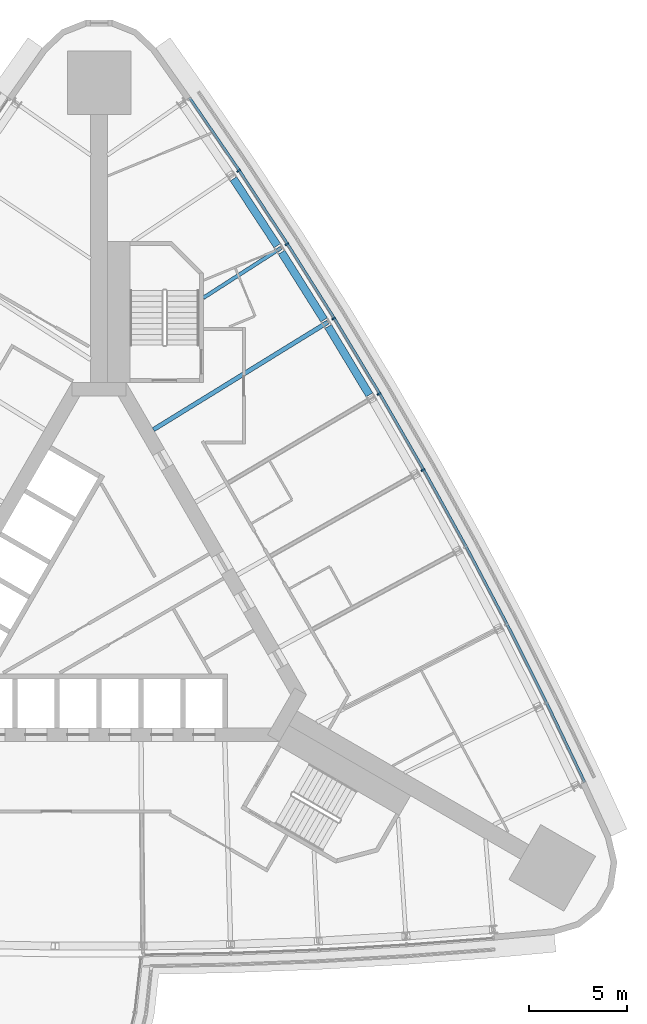
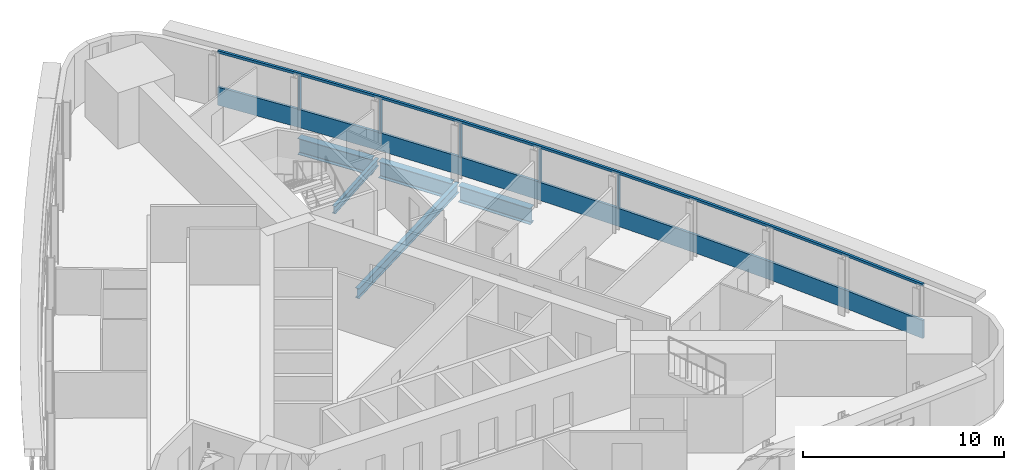
# One storey, part 7 of 15: 7 members, 5 beams, 1 element without a shape of its own.
"""IFC4 building model written with IfcOpenShell, lengths in metres."""

from ifc_helpers import new_model, si_unit, direction, frame, origin, origin_2d, place, context, subcontext, project, spatial, polyline, rectangle, i_section, outline, extrude, material, material_profile, profile_set, type_object, element, aggregate, save


model = new_model("IFC4")

# Units and contexts
model_context = context("Model", 3, precision=1e-05, world=origin(), true_north=direction((0.0, 1.0)))
body_context = subcontext(model_context, "Body", "Model", "MODEL_VIEW")
ifc_project = project(units=[si_unit("LENGTHUNIT", "METRE"), si_unit("AREAUNIT", "SQUARE_METRE"), si_unit("VOLUMEUNIT", "CUBIC_METRE"), si_unit("PLANEANGLEUNIT", "RADIAN"), si_unit("MASSUNIT", "GRAM", prefix="KILO")], contexts=[model_context])

# Site, building, storey
site_placement = place(None, origin())
site = spatial("IfcSite", under=ifc_project, at=site_placement, CompositionType="ELEMENT")
building_placement = place(site_placement, origin())
building = spatial("IfcBuilding", under=site, at=building_placement, Name="Noor Cloister Tower", CompositionType="ELEMENT")
storey_placement = place(building_placement, frame((0.0, 0.0, 58.199951171875)))
storey = spatial("IfcBuildingStorey", under=building, at=storey_placement, Name="L14", CompositionType="ELEMENT", Elevation=58.199951171875)

# Beams
ifc_material_1 = material(Name="Steel ASTM A992 Gr 50", Category="steel")
ifc_material_profile_1 = material_profile(ifc_material_1, i_section(OverallWidth=0.40087890625, OverallDepth=0.98291015625, WebThickness=0.0166015625, FlangeThickness=0.027099609375, FilletRadius=0.030029296875, at=origin_2d()), Name="W1000x296")
ifc_profile_set_1 = profile_set([ifc_material_profile_1], Name="Steel ASTM A992 Gr 50")
beam_type_1 = type_object("IfcBeamType", Name="Belt chord girder W1000x296", PredefinedType="BEAM", material=ifc_profile_set_1)
beam_1_placement = place(storey_placement, frame((13.837158203125, 10.81396484375, -0.69140625), z_axis=(-0.516471610202, 0.856304312646, 0.0), x_axis=(-0.856304312646, -0.516471610202, 0.0)))
element("IfcBeam", 1, at=beam_1_placement, inside=storey, type_object=beam_type_1, Name="Spandrel beam NE 06 L14", PredefinedType="BEAM", context=body_context, shape_type="SweptSolid", body=[
    extrude(i_section(OverallWidth=0.40087890625, OverallDepth=0.98291015625, WebThickness=0.0166015625, FlangeThickness=0.027099609375, FilletRadius=0.030029296875, at=origin_2d()), origin(), (0.0, 0.0, 1.0), 4.085693359375),
])
beam_2_placement = place(storey_placement, frame((11.51513671875, 14.656494140625, -0.69140625), z_axis=(-0.532719748658, 0.846291716484, 0.0), x_axis=(-0.846291716484, -0.532719748658, 0.0)))
element("IfcBeam", 2, at=beam_2_placement, inside=storey, type_object=beam_type_1, Name="Spandrel beam NE 07 L14", PredefinedType="BEAM", context=body_context, shape_type="SweptSolid", body=[
    extrude(i_section(OverallWidth=0.40087890625, OverallDepth=0.98291015625, WebThickness=0.0166015625, FlangeThickness=0.027099609375, FilletRadius=0.030029296875, at=origin_2d()), origin(), (0.0, 0.0, 1.0), 4.085205078125),
])
beam_3_placement = place(storey_placement, frame((9.120361328125, 18.45361328125, -0.69140625), z_axis=(-0.548742585616, 0.835991372402, 0.0), x_axis=(-0.835991372402, -0.548742585616, 0.0)))
element("IfcBeam", 3, at=beam_3_placement, inside=storey, type_object=beam_type_1, Name="Spandrel beam NE 08 L14", PredefinedType="BEAM", context=body_context, shape_type="SweptSolid", body=[
    extrude(i_section(OverallWidth=0.40087890625, OverallDepth=0.98291015625, WebThickness=0.0166015625, FlangeThickness=0.027099609375, FilletRadius=0.030029296875, at=origin_2d()), origin(), (0.0, 0.0, 1.0), 4.085693359375),
])

# Curtain wall, members
ifc_material_2 = material(Name="Aluminium 6063-T6 anodised", Category="aluminium")
curtain_wall_type = type_object("IfcCurtainWallType", Name="Ribbon curtain wall, lower tower CW1", PredefinedType="NOTDEFINED", material=ifc_material_2)
curtain_wall_placement = place(storey_placement, origin())
curtain_wall = element("IfcCurtainWall", 4, at=curtain_wall_placement, inside=storey, type_object=curtain_wall_type, Name="CW1 L14 NE run 4", PredefinedType="NOTDEFINED")
ifc_material_3 = material(Name="Aluminium 6063-T6 anodised", Category="aluminium")
member_type_1 = type_object("IfcMemberType", Name="Head transom CW1 150", PredefinedType="USERDEFINED", material=ifc_material_3)
member_1_placement = place(storey_placement, frame((0.0, 0.0, 3.150146484375)))
member_1 = element("IfcMember", 5, at=member_1_placement, type_object=member_type_1, Name="CW1 head transom", ObjectType="TRANSOM", PredefinedType="USERDEFINED", context=body_context, shape_type="SweptSolid", body=[
    extrude(outline(polyline([(24.908935546875, -8.972900390625), (22.962890625, -4.91552734375), (20.939697265625, -0.89599609375), (18.840087890625, 3.084228515625), (16.6650390625, 7.0234375), (14.4150390625, 10.920654296875), (12.091064453125, 14.77392578125), (9.69384765625, 18.582275390625), (7.224609375, 22.343994140625), (4.683837890625, 26.05810546875), (4.568115234375, 25.97900390625), (7.108154296875, 22.26611328125), (9.576171875, 18.506591796875), (11.971923828125, 14.700439453125), (14.29443359375, 10.849365234375), (16.543212890625, 6.95458984375), (18.717041015625, 3.017822265625), (20.815185546875, -0.9599609375), (22.837158203125, -4.97705078125), (24.78271484375, -9.033447265625), (24.908935546875, -8.972900390625)])), origin(), (0.0, 0.0, 1.0), 0.14990234375),
])
ifc_material_4 = material(Name="Aluminium 6063-T6 anodised", Category="aluminium")
ifc_material_profile_2 = material_profile(ifc_material_4, rectangle(XDim=0.199951171875, YDim=0.080078125, at=origin_2d()), Name="200 x 80 mullion")
ifc_profile_set_2 = profile_set([ifc_material_profile_2], Name="Aluminium 6063-T6 anodised")
member_type_2 = type_object("IfcMemberType", Name="Mullion CW1 80 x 200", PredefinedType="MULLION", material=ifc_profile_set_2)
member_2_placement = place(storey_placement, frame((16.577880859375, 6.974365234375, 1.10009765625), z_axis=(0.0, 0.0, 1.0), x_axis=(-0.870759932602, -0.491708388961, 0.0)))
member_2 = element("IfcMember", 6, at=member_2_placement, type_object=member_type_2, Name="CW1 mullion 5", PredefinedType="MULLION", context=body_context, shape_type="SweptSolid", body=[
    extrude(rectangle(XDim=0.199951171875, YDim=0.080078125, at=origin_2d()), origin(), (0.0, 0.0, 1.0), 2.050048828125),
])
member_3_placement = place(storey_placement, frame((14.328857421875, 10.86962890625, 1.10009765625), z_axis=(0.0, 0.0, 1.0), x_axis=(-0.861211922396, -0.50824602775, 0.0)))
member_3 = element("IfcMember", 7, at=member_3_placement, type_object=member_type_2, Name="CW1 mullion 6", PredefinedType="MULLION", context=body_context, shape_type="SweptSolid", body=[
    extrude(rectangle(XDim=0.199951171875, YDim=0.080078125, at=origin_2d()), origin(), (0.0, 0.0, 1.0), 2.050048828125),
])
member_4_placement = place(storey_placement, frame((12.005859375, 14.721435546875, 1.10009765625), z_axis=(0.0, 0.0, 1.0), x_axis=(-0.851349873532, -0.524598315702, 0.0)))
member_4 = element("IfcMember", 8, at=member_4_placement, type_object=member_type_2, Name="CW1 mullion 7", PredefinedType="MULLION", context=body_context, shape_type="SweptSolid", body=[
    extrude(rectangle(XDim=0.199951171875, YDim=0.080078125, at=origin_2d()), origin(), (0.0, 0.0, 1.0), 2.050048828125),
])
member_5_placement = place(storey_placement, frame((9.60986328125, 18.528076171875, 1.10009765625), z_axis=(0.0, 0.0, 1.0), x_axis=(-0.841177373697, -0.540759305034, 0.0)))
member_5 = element("IfcMember", 9, at=member_5_placement, type_object=member_type_2, Name="CW1 mullion 8", PredefinedType="MULLION", context=body_context, shape_type="SweptSolid", body=[
    extrude(rectangle(XDim=0.199951171875, YDim=0.080078125, at=origin_2d()), origin(), (0.0, 0.0, 1.0), 2.050048828125),
])
member_6_placement = place(storey_placement, frame((7.141357421875, 22.288330078125, 1.10009765625), z_axis=(0.0, 0.0, 1.0), x_axis=(-0.830698132368, -0.556723102521, 0.0)))
member_6 = element("IfcMember", 10, at=member_6_placement, type_object=member_type_2, Name="CW1 mullion 9", PredefinedType="MULLION", context=body_context, shape_type="SweptSolid", body=[
    extrude(rectangle(XDim=0.199951171875, YDim=0.080078125, at=origin_2d()), origin(), (0.0, 0.0, 1.0), 2.050048828125),
])

# Beams
ifc_material_5 = material(Name="Steel ASTM A992 Gr 50", Category="steel")
ifc_material_profile_3 = material_profile(ifc_material_5, i_section(OverallWidth=0.19091796875, OverallDepth=0.45703125, WebThickness=0.009033203125, FlangeThickness=0.014404296875, FilletRadius=0.01025390625, at=origin_2d()), Name="W460x74")
ifc_profile_set_3 = profile_set([ifc_material_profile_3], Name="Steel ASTM A992 Gr 50")
beam_type_2 = type_object("IfcBeamType", Name="Radial beam W460x74", PredefinedType="BEAM", material=ifc_profile_set_3)
beam_4_placement = place(storey_placement, frame((9.31298828125, 18.33740234375, -0.428466796875), z_axis=(-0.8411734424, -0.540765420309, 0.0), x_axis=(0.540765420309, -0.8411734424, 0.0)))
element("IfcBeam", 11, at=beam_4_placement, inside=storey, type_object=beam_type_2, Name="Radial beam NE 08 L14", PredefinedType="BEAM", context=body_context, shape_type="SweptSolid", body=[
    extrude(i_section(OverallWidth=0.19091796875, OverallDepth=0.45703125, WebThickness=0.009033203125, FlangeThickness=0.014404296875, FilletRadius=0.01025390625, at=origin_2d()), origin(), (0.0, 0.0, 1.0), 4.728271484375),
])
ifc_material_6 = material(Name="Steel ASTM A992 Gr 50", Category="steel")
ifc_material_profile_4 = material_profile(ifc_material_6, i_section(OverallWidth=0.22802734375, OverallDepth=0.60205078125, WebThickness=0.010498046875, FlangeThickness=0.014892578125, FilletRadius=0.0126953125, at=origin_2d()), Name="W610x101")
ifc_profile_set_4 = profile_set([ifc_material_profile_4], Name="Steel ASTM A992 Gr 50")
beam_type_3 = type_object("IfcBeamType", Name="Radial beam W610x101", PredefinedType="BEAM", material=ifc_profile_set_4)
beam_5_placement = place(storey_placement, frame((11.705322265625, 14.536376953125, -0.5009765625), z_axis=(-0.85134946525, -0.524598978286, 0.0), x_axis=(0.524598978286, -0.85134946525, 0.0)))
element("IfcBeam", 12, at=beam_5_placement, inside=storey, type_object=beam_type_3, Name="Radial beam NE 07 L14", PredefinedType="BEAM", context=body_context, shape_type="SweptSolid", body=[
    extrude(i_section(OverallWidth=0.22802734375, OverallDepth=0.60205078125, WebThickness=0.010498046875, FlangeThickness=0.014892578125, FilletRadius=0.0126953125, at=origin_2d()), origin(), (0.0, 0.0, 1.0), 10.4814453125),
])

# Member
ifc_material_7 = material(Name="Aluminium 6063-T6 anodised", Category="aluminium")
member_type_3 = type_object("IfcMemberType", Name="Sill transom CW1 1100", PredefinedType="USERDEFINED", material=ifc_material_7)
member_7_placement = place(storey_placement, origin())
member_7 = element("IfcMember", 13, at=member_7_placement, type_object=member_type_3, Name="CW1 sill transom", ObjectType="TRANSOM", PredefinedType="USERDEFINED", context=body_context, shape_type="SweptSolid", body=[
    extrude(outline(polyline([(24.908935546875, -8.972900390625), (22.962890625, -4.91552734375), (20.939697265625, -0.89599609375), (18.840087890625, 3.084228515625), (16.6650390625, 7.0234375), (14.4150390625, 10.920654296875), (12.091064453125, 14.77392578125), (9.69384765625, 18.582275390625), (7.224609375, 22.343994140625), (4.683837890625, 26.05810546875), (4.568115234375, 25.97900390625), (7.108154296875, 22.26611328125), (9.576171875, 18.506591796875), (11.971923828125, 14.700439453125), (14.29443359375, 10.849365234375), (16.543212890625, 6.95458984375), (18.717041015625, 3.017822265625), (20.815185546875, -0.9599609375), (22.837158203125, -4.97705078125), (24.78271484375, -9.033447265625), (24.908935546875, -8.972900390625)])), origin(), (0.0, 0.0, 1.0), 1.10009765625),
])

aggregate(curtain_wall, [member_2, member_3, member_4, member_5, member_6, member_7, member_1])

save(model, "model.ifc")
